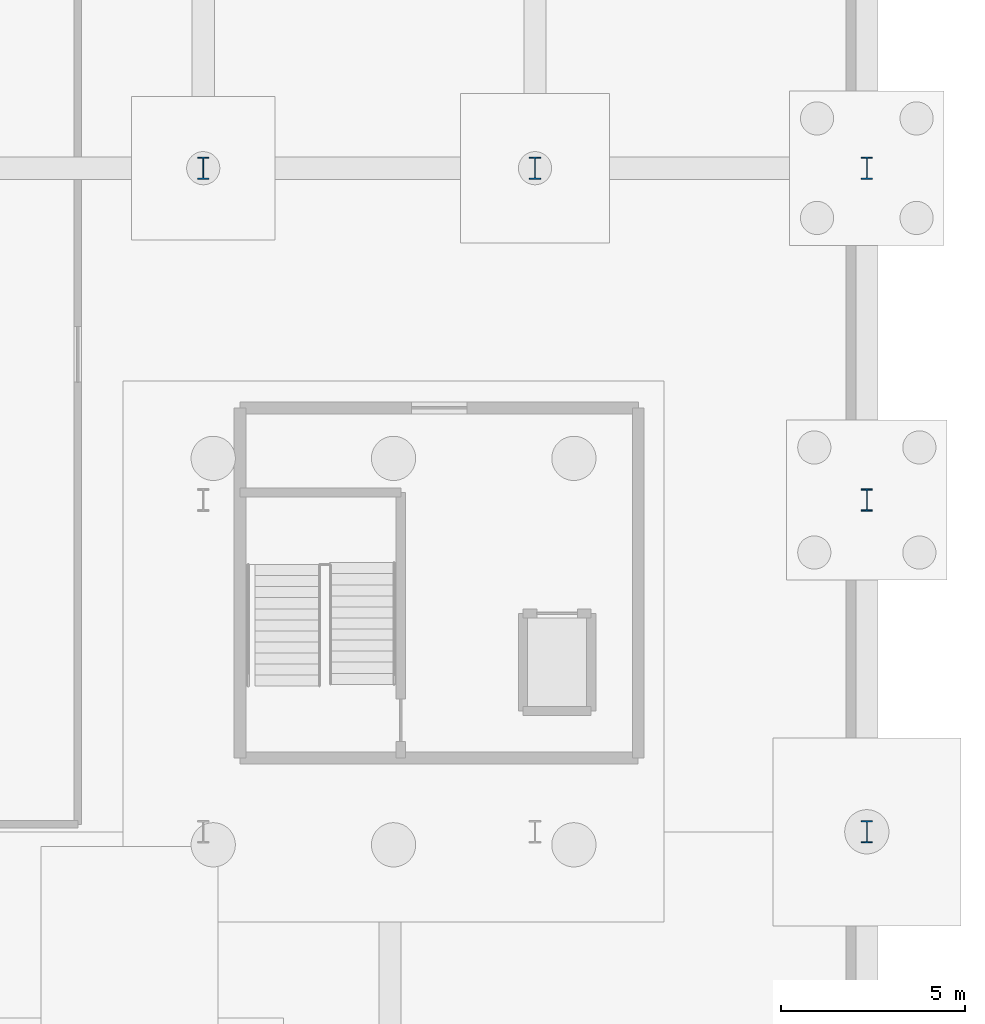
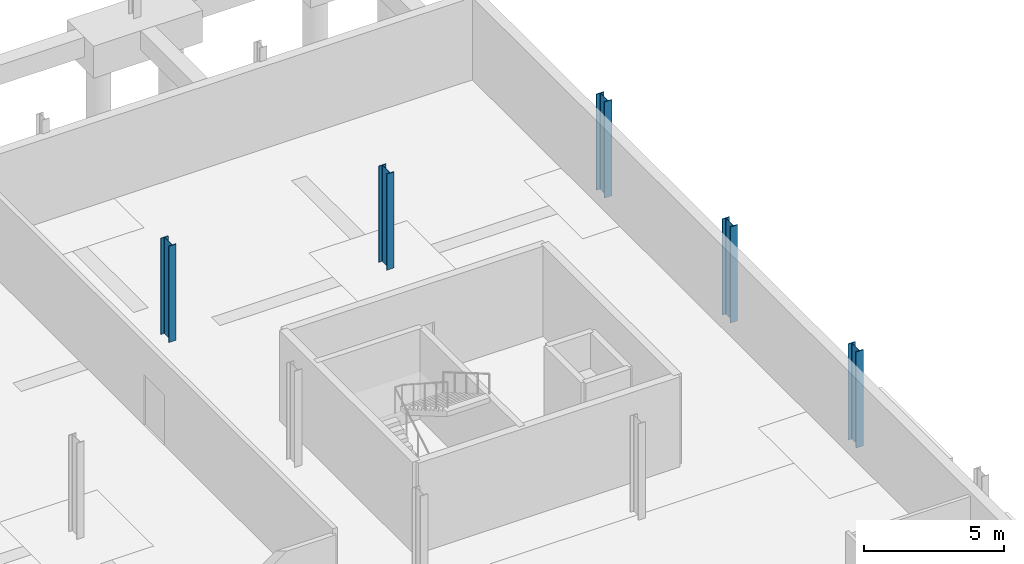
# One storey, part 27 of 42: 5 columns.
"""IFC4 building model written with IfcOpenShell, lengths in metres."""

from ifc_helpers import new_model, si_unit, direction, frame, origin, origin_2d, place, context, subcontext, project, spatial, i_section, extrude, material, material_profile, profile_set, type_object, element, save


model = new_model("IFC4")

# Units and contexts
model_context = context("Model", 3, precision=1e-05, world=origin(), true_north=direction((0.0, 1.0)))
body_context = subcontext(model_context, "Body", "Model", "MODEL_VIEW")
ifc_project = project(units=[si_unit("LENGTHUNIT", "METRE"), si_unit("AREAUNIT", "SQUARE_METRE"), si_unit("VOLUMEUNIT", "CUBIC_METRE"), si_unit("PLANEANGLEUNIT", "RADIAN"), si_unit("MASSUNIT", "GRAM", prefix="KILO")], contexts=[model_context])

# Site, building, storey
site_placement = place(None, origin())
site = spatial("IfcSite", under=ifc_project, at=site_placement, CompositionType="ELEMENT")
building_placement = place(site_placement, origin())
building = spatial("IfcBuilding", under=site, at=building_placement, Name="Deido Ridge Mobility Hub", CompositionType="ELEMENT")
storey_placement = place(building_placement, frame((0.0, 0.0, -4.199951171875)))
storey = spatial("IfcBuildingStorey", under=building, at=storey_placement, Name="B1", CompositionType="ELEMENT", Elevation=-4.199951171875)

# Columns
ifc_material = material(Name="Steel S355J2 EN 10025-2", Category="steel")
ifc_material_profile = material_profile(ifc_material, i_section(OverallWidth=0.300048828125, OverallDepth=0.60009765625, WebThickness=0.015380859375, FlangeThickness=0.030029296875, FilletRadius=0.027099609375, at=origin_2d()), Name="HEB 600")
ifc_profile_set = profile_set([ifc_material_profile], Name="Steel S355J2 EN 10025-2")
column_type = type_object("IfcColumnType", Name="COL-HEB600", PredefinedType="COLUMN", material=ifc_profile_set)
for number, where, z_axis, x_axis, name in (
    (1, (180.0, 36.0, 0.0), (0.0, 0.0, 1.0), (1.0, 0.0, 0.0), "Structural column C4"),
    (2, (180.0, 45.0, 0.0), (0.0, 0.0, 1.0), (1.0, 0.0, 0.0), "Structural column C4"),
    (3, (162.0, 54.0, 0.0), (0.0, 0.0, 1.0), (1.0, 0.0, 0.0), "Structural column C4"),
    (4, (171.0, 54.0, 0.0), (0.0, 0.0, 1.0), (1.0, 0.0, 0.0), "Structural column C4"),
    (5, (180.0, 54.0, 0.0), (0.0, 0.0, 1.0), (1.0, 0.0, 0.0), "Structural column C4"),
):
    element("IfcColumn", number, at=place(storey_placement, frame(where, z_axis=z_axis, x_axis=x_axis)), inside=storey, type_object=column_type, Name=name, PredefinedType="COLUMN", context=body_context, shape_type="SweptSolid", body=[
        extrude(i_section(OverallWidth=0.300048828125, OverallDepth=0.60009765625, WebThickness=0.015380859375, FlangeThickness=0.030029296875, FilletRadius=0.027099609375, at=origin_2d()), origin(), (0.0, 0.0, 1.0), 4.199951171875),
    ])

save(model, "model.ifc")
